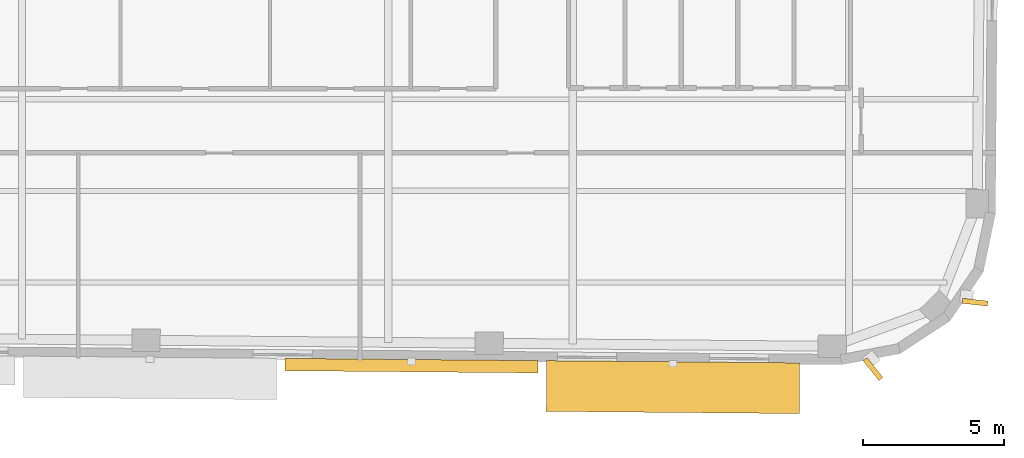
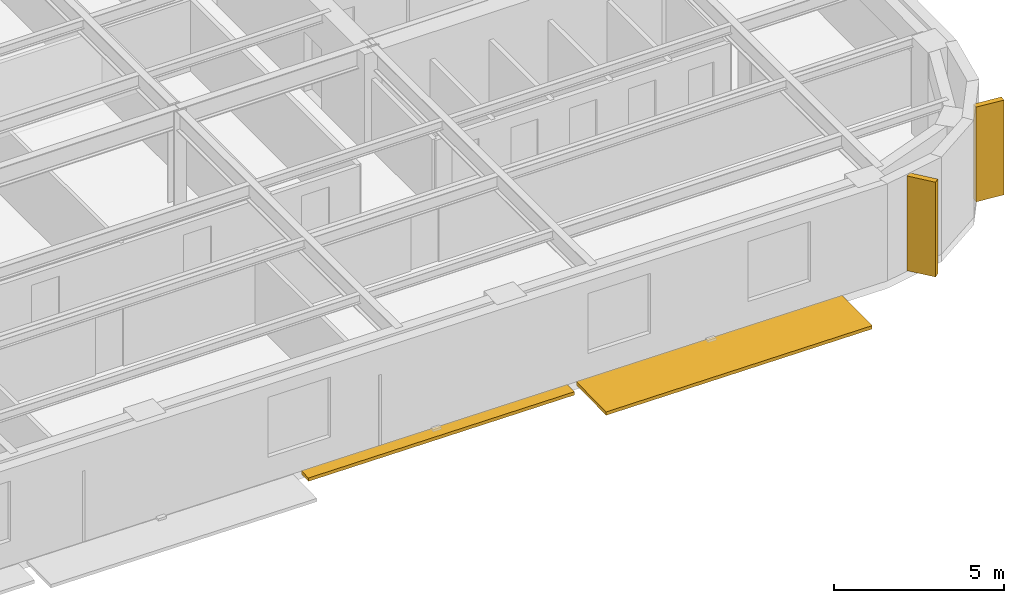
# One storey, part 10 of 12: 4 shading devices.
"""IFC4 building model written with IfcOpenShell, lengths in metres."""

from ifc_helpers import new_model, si_unit, direction, frame, origin, origin_2d, place, context, subcontext, project, spatial, rectangle, extrude, material, type_object, element, save


model = new_model("IFC4")

# Units and contexts
model_context = context("Model", 3, precision=1e-05, world=origin(), true_north=direction((0.0, 1.0)))
body_context = subcontext(model_context, "Body", "Model", "MODEL_VIEW")
ifc_project = project(units=[si_unit("LENGTHUNIT", "METRE"), si_unit("AREAUNIT", "SQUARE_METRE"), si_unit("VOLUMEUNIT", "CUBIC_METRE"), si_unit("PLANEANGLEUNIT", "RADIAN"), si_unit("MASSUNIT", "GRAM", prefix="KILO")], contexts=[model_context])

# Site, building, storey
site_placement = place(None, origin())
site = spatial("IfcSite", under=ifc_project, at=site_placement, CompositionType="ELEMENT")
building_placement = place(site_placement, origin())
building = spatial("IfcBuilding", under=site, at=building_placement, Name="Kolvaren Arena Tower", CompositionType="ELEMENT")
storey_placement = place(building_placement, frame((0.0, 0.0, 165.949951171875)))
storey = spatial("IfcBuildingStorey", under=building, at=storey_placement, Name="L39", CompositionType="ELEMENT", Elevation=165.949951171875)

# Shading devices
ifc_material_1 = material(Name="Precast architectural concrete C50/60 rib fin", Category="concrete")
shading_device_type_1 = type_object("IfcShadingDeviceType", Name="SHAD-FIN-28", PredefinedType="USERDEFINED", material=ifc_material_1)
for number, where, z_axis, x_axis, name in (
    (1, (61.2021484375, 5.427978515625, 0.02001953125), (0.0, 0.0, 1.0), (0.625923472184, -0.779884483093, 0.0), "Precast 28-Deg Corner Rib Fin (L39)"),
    (2, (64.822509765625, 7.8017578125, 0.02001953125), (0.0, 0.0, 1.0), (0.994056908234, -0.108861669984, 0.0), "Precast 28-Deg Corner Rib Fin (L39)"),
):
    element("IfcShadingDevice", number, at=place(storey_placement, frame(where, z_axis=z_axis, x_axis=x_axis)), inside=storey, type_object=shading_device_type_1, Name=name, ObjectType="FIN", PredefinedType="USERDEFINED", context=body_context, shape_type="SweptSolid", body=[
        extrude(rectangle(XDim=0.89990234375, YDim=0.179931640625, at=origin_2d()), origin(), (0.0, 0.0, 1.0), 3.39990234375),
    ])
ifc_material_2 = material(Name="Architectural precast GFRC and anodised aluminium sunshade", Category="concrete")
shading_device_type_2 = type_object("IfcShadingDeviceType", Name="SHAD-SINE-A", PredefinedType="USERDEFINED", material=ifc_material_2)
shading_device_1_placement = place(storey_placement, frame((44.8291015625, 5.54931640625, -0.139892578125), z_axis=(0.0, 0.0, 1.0), x_axis=(-0.999961923064, 0.008726535498, 0.0)))
element("IfcShadingDevice", 3, at=shading_device_1_placement, inside=storey, type_object=shading_device_type_2, Name="Sinusoidal Slab-Edge Sunshade Louvre (L39)", ObjectType="LOUVRE", PredefinedType="USERDEFINED", context=body_context, shape_type="SweptSolid", body=[
    extrude(rectangle(XDim=8.97998046875, YDim=0.438232421875, at=origin_2d()), origin(), (0.0, 0.0, 1.0), 0.1201171875),
])
shading_device_type_3 = type_object("IfcShadingDeviceType", Name="SHAD-SINE-B", PredefinedType="JALOUSIE", material=ifc_material_2)
shading_device_2_placement = place(storey_placement, frame((54.102783203125, 4.78759765625, -0.139892578125), z_axis=(0.0, 0.0, 1.0), x_axis=(-0.999961923064, 0.008726535498, 0.0)))
element("IfcShadingDevice", 4, at=shading_device_2_placement, inside=storey, type_object=shading_device_type_3, Name="Sinusoidal Slab-Edge Sunshade Louvre (L39)", PredefinedType="JALOUSIE", context=body_context, shape_type="SweptSolid", body=[
    extrude(rectangle(XDim=8.97998046875, YDim=1.800048828125, at=origin_2d()), origin(), (0.0, 0.0, 1.0), 0.1201171875),
])

save(model, "model.ifc")
